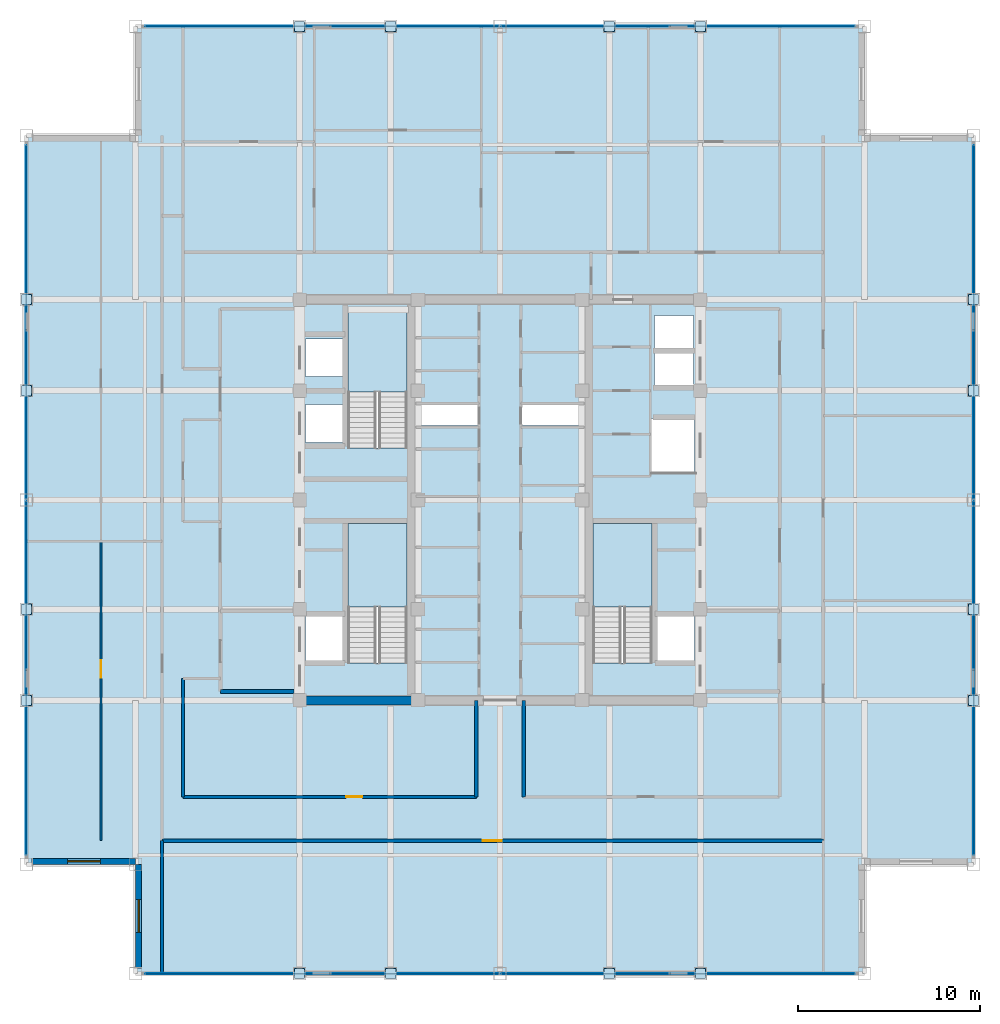
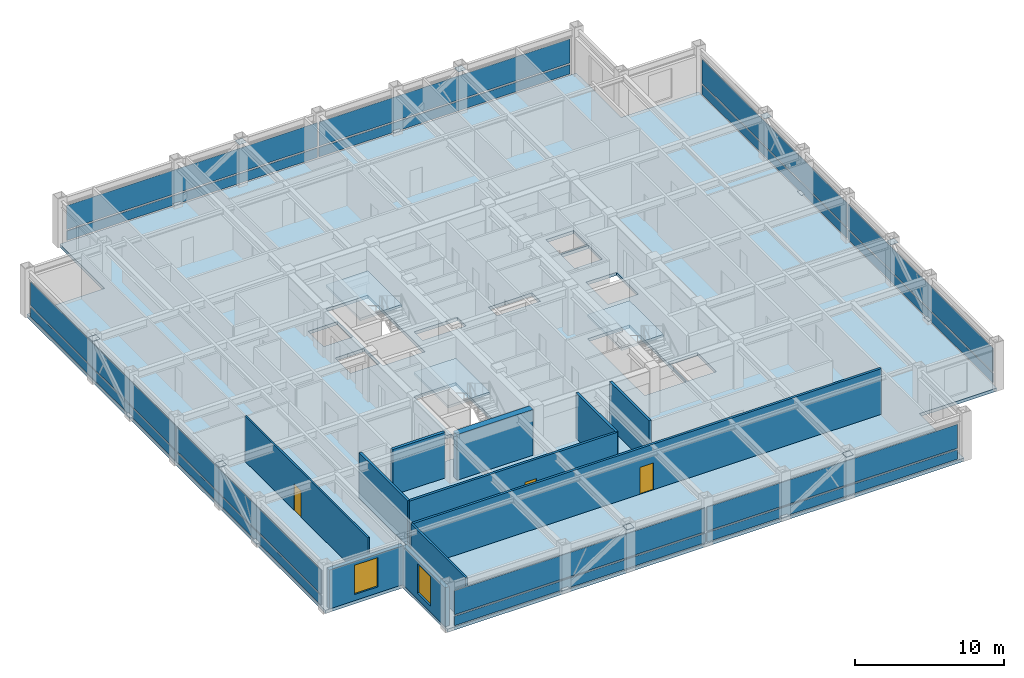
# One storey, part 23 of 29: 32 plates, 11 walls, 4 slabs, 3 doors, 2 windows, 5 openings, 7 elements without a shape of their own.
"""IFC4 building model written with IfcOpenShell, lengths in metres."""

from ifc_helpers import new_model, si_unit, direction, frame, frame_2d, origin, origin_2d, place, context, subcontext, project, spatial, polyline, rectangle, outline, extrude, source, transform, mapped, material, layer, layer_set, type_object, element, fill, aggregate, save


model = new_model("IFC4")

# Units and contexts
model_context = context("Model", 3, precision=1e-05, world=origin(), true_north=direction((0.0, 1.0)))
body_context = subcontext(model_context, "Body", "Model", "MODEL_VIEW")
ifc_project = project(units=[si_unit("LENGTHUNIT", "METRE"), si_unit("AREAUNIT", "SQUARE_METRE"), si_unit("VOLUMEUNIT", "CUBIC_METRE"), si_unit("PLANEANGLEUNIT", "RADIAN"), si_unit("MASSUNIT", "GRAM", prefix="KILO")], contexts=[model_context])

# Site, building, storey
site_placement = place(None, origin())
site = spatial("IfcSite", under=ifc_project, at=site_placement, CompositionType="ELEMENT")
building_placement = place(site_placement, origin())
building = spatial("IfcBuilding", under=site, at=building_placement, Name="Khorayat Bourse Tower", CompositionType="ELEMENT")
storey_placement = place(building_placement, frame((0.0, 0.0, 358.300048828125)))
storey = spatial("IfcBuildingStorey", under=building, at=storey_placement, Name="L85", CompositionType="ELEMENT", Elevation=358.300048828125)

# Stair, slab
ifc_material_1 = material(Name="Concrete C40/50", Category="concrete")
stair_type = type_object("IfcStairType", Name="STR-CORE-1550", PredefinedType="HALF_TURN_STAIR", material=ifc_material_1)
stair_1_placement = place(storey_placement, origin())
stair_1 = element("IfcStair", 1, at=stair_1_placement, inside=storey, type_object=stair_type, Name="L85 Exit Stair ST-1", PredefinedType="HALF_TURN_STAIR")
ifc_layer_1 = layer(ifc_material_1, 0.199951171875)
ifc_layer_set_1 = layer_set([ifc_layer_1], Name="Concrete C40/50")
slab_type_1 = type_object("IfcSlabType", Name="SLB-LANDING-200", PredefinedType="LANDING", material=ifc_layer_set_1)
slab_1_placement = place(storey_placement, frame((0.0, 0.0, 1.800048828125)))
slab_1 = element("IfcSlab", 2, at=slab_1_placement, type_object=slab_type_1, Name="ST-1 landing 1", PredefinedType="LANDING", context=body_context, shape_type="SweptSolid", body=[
    extrude(outline(polyline([(-5.10009765625, -5.8701171875), (-5.10009765625, -1.300048828125), (-8.35009765625, -1.300048828125), (-8.35009765625, -5.8701171875), (-5.10009765625, -5.8701171875)])), origin(), (0.0, 0.0, 1.0), 0.199951171875),
])
aggregate(stair_1, [slab_1])

stair_2_placement = place(storey_placement, origin())
stair_2 = element("IfcStair", 3, at=stair_2_placement, inside=storey, type_object=stair_type, Name="L85 Exit Stair ST-2", PredefinedType="HALF_TURN_STAIR")
slab_2_placement = place(storey_placement, frame((0.0, 0.0, 1.800048828125)))
slab_2 = element("IfcSlab", 4, at=slab_2_placement, type_object=slab_type_1, Name="ST-2 landing 1", PredefinedType="LANDING", context=body_context, shape_type="SweptSolid", body=[
    extrude(outline(polyline([(-5.10009765625, 5.929931640625), (-5.10009765625, 10.5), (-8.35009765625, 10.5), (-8.35009765625, 5.929931640625), (-5.10009765625, 5.929931640625)])), origin(), (0.0, 0.0, 1.0), 0.199951171875),
])
aggregate(stair_2, [slab_2])

stair_3_placement = place(storey_placement, origin())
stair_3 = element("IfcStair", 5, at=stair_3_placement, inside=storey, type_object=stair_type, Name="L85 Exit Stair ST-3", PredefinedType="HALF_TURN_STAIR")
slab_3_placement = place(storey_placement, frame((0.0, 0.0, 1.800048828125)))
slab_3 = element("IfcSlab", 6, at=slab_3_placement, type_object=slab_type_1, Name="ST-3 landing 1", PredefinedType="LANDING", context=body_context, shape_type="SweptSolid", body=[
    extrude(outline(polyline([(8.35009765625, -5.8701171875), (8.35009765625, -1.300048828125), (5.10009765625, -1.300048828125), (5.10009765625, -5.8701171875), (8.35009765625, -5.8701171875)])), origin(), (0.0, 0.0, 1.0), 0.199951171875),
])
aggregate(stair_3, [slab_3])

# Slab
ifc_layer_2 = layer(ifc_material_1, 0.219970703125)
ifc_layer_set_2 = layer_set([ifc_layer_2], Name="Concrete C40/50")
slab_type_2 = type_object("IfcSlabType", Name="SLB-OFFICE-220", PredefinedType="FLOOR", material=ifc_layer_set_2)
slab_4_placement = place(storey_placement, frame((0.0, 0.0, -0.260009765625)))
element("IfcSlab", 7, at=slab_4_placement, inside=storey, type_object=slab_type_2, Name="L85 Main Floor Slab", PredefinedType="FLOOR", context=body_context, shape_type="SweptSolid", body=[
    extrude(outline(polyline([(-20.0, -26.0), (20.0, -26.0), (20.0, -20.0), (26.0, -20.0), (26.0, 20.0), (20.0, 20.0), (20.0, 26.0), (-20.0, 26.0), (-20.0, 20.0), (-26.0, 20.0), (-26.0, -20.0), (-20.0, -20.0), (-20.0, -26.0)]), holes=[polyline([(-8.35009765625, -8.945068359375), (-5.10009765625, -8.945068359375), (-5.10009765625, -1.300048828125), (-8.35009765625, -1.300048828125), (-8.35009765625, -8.945068359375)]), polyline([(-8.35009765625, 2.85498046875), (-5.10009765625, 2.85498046875), (-5.10009765625, 10.5), (-8.35009765625, 10.5), (-8.35009765625, 2.85498046875)]), polyline([(5.10009765625, -8.945068359375), (8.35009765625, -8.945068359375), (8.35009765625, -1.300048828125), (5.10009765625, -1.300048828125), (5.10009765625, -8.945068359375)]), polyline([(-10.679931640625, 3.169921875), (-8.419921875, 3.169921875), (-8.419921875, 5.22998046875), (-10.679931640625, 5.22998046875), (-10.679931640625, 3.169921875)]), polyline([(-10.679931640625, 6.77001953125), (-8.419921875, 6.77001953125), (-8.419921875, 8.830078125), (-10.679931640625, 8.830078125), (-10.679931640625, 6.77001953125)]), polyline([(8.469970703125, 6.27001953125), (10.6298828125, 6.27001953125), (10.6298828125, 8.1298828125), (8.469970703125, 8.1298828125), (8.469970703125, 6.27001953125)]), polyline([(8.469970703125, 8.27001953125), (10.6298828125, 8.27001953125), (10.6298828125, 10.1298828125), (8.469970703125, 10.1298828125), (8.469970703125, 8.27001953125)]), polyline([(-10.679931640625, -8.929931640625), (-8.419921875, -8.929931640625), (-8.419921875, -6.3701171875), (-10.679931640625, -6.3701171875), (-10.679931640625, -8.929931640625)]), polyline([(8.419921875, -8.929931640625), (10.679931640625, -8.929931640625), (10.679931640625, -6.3701171875), (8.419921875, -6.3701171875), (8.419921875, -8.929931640625)]), polyline([(8.320068359375, 1.52001953125), (10.679931640625, 1.52001953125), (10.679931640625, 4.47998046875), (8.320068359375, 4.47998046875), (8.320068359375, 1.52001953125)]), polyline([(-4.56005859375, 4.080078125), (-1.18994140625, 4.080078125), (-1.18994140625, 5.219970703125), (-4.56005859375, 5.219970703125), (-4.56005859375, 4.080078125)]), polyline([(1.18994140625, 4.080078125), (4.56005859375, 4.080078125), (4.56005859375, 5.219970703125), (1.18994140625, 5.219970703125), (1.18994140625, 4.080078125)])]), origin(), (0.0, 0.0, 1.0), 0.260009765625),
])

# Plates
ifc_material_2 = material(Name="Steel EN 10025-2 S355J2", Category="steel")
ifc_layer_3 = layer(ifc_material_2, 0.02490234375)
ifc_layer_set_3 = layer_set([ifc_layer_3], Name="Steel EN 10025-2 S355J2")
plate_type_1 = type_object("IfcPlateType", Name="PLT-ENDCAP-25", PredefinedType="SHEET", material=ifc_layer_set_3)
shared_shape_1 = source(origin(), body_context, "Body", "SweptSolid", [
    extrude(rectangle(XDim=0.56005859375, YDim=0.56005859375, at=origin_2d()), origin(), (0.0, 0.0, 1.0), 0.02490234375),
])
for number, where, z_axis, x_axis, name in (
    (8, (-11.0, -26.0, 0.237548828125), (0.0, 0.0, 1.0), (1.0, 0.0, 0.0), "L85 Perimeter Brace End Plate 001"),
    (9, (-6.0, -26.0, 3.4775390625), (0.0, 0.0, 1.0), (1.0, 0.0, 0.0), "L85 Perimeter Brace End Plate 002"),
    (10, (6.0, -26.0, 0.237548828125), (0.0, 0.0, 1.0), (1.0, 0.0, 0.0), "L85 Perimeter Brace End Plate 003"),
    (11, (11.0, -26.0, 3.4775390625), (0.0, 0.0, 1.0), (1.0, 0.0, 0.0), "L85 Perimeter Brace End Plate 004"),
    (12, (-11.0, 26.0, 0.237548828125), (0.0, 0.0, 1.0), (1.0, 0.0, 0.0), "L85 Perimeter Brace End Plate 005"),
    (13, (-6.0, 26.0, 3.4775390625), (0.0, 0.0, 1.0), (1.0, 0.0, 0.0), "L85 Perimeter Brace End Plate 006"),
    (14, (6.0, 26.0, 0.237548828125), (0.0, 0.0, 1.0), (1.0, 0.0, 0.0), "L85 Perimeter Brace End Plate 007"),
    (15, (11.0, 26.0, 3.4775390625), (0.0, 0.0, 1.0), (1.0, 0.0, 0.0), "L85 Perimeter Brace End Plate 008"),
    (16, (-26.0, -11.0, 0.237548828125), (0.0, 0.0, 1.0), (1.0, 0.0, 0.0), "L85 Perimeter Brace End Plate 009"),
    (17, (-26.0, -6.0, 3.4775390625), (0.0, 0.0, 1.0), (1.0, 0.0, 0.0), "L85 Perimeter Brace End Plate 010"),
    (18, (-26.0, 6.0, 0.237548828125), (0.0, 0.0, 1.0), (1.0, 0.0, 0.0), "L85 Perimeter Brace End Plate 011"),
    (19, (-26.0, 11.0, 3.4775390625), (0.0, 0.0, 1.0), (1.0, 0.0, 0.0), "L85 Perimeter Brace End Plate 012"),
    (20, (26.0, -11.0, 0.237548828125), (0.0, 0.0, 1.0), (1.0, 0.0, 0.0), "L85 Perimeter Brace End Plate 013"),
    (21, (26.0, -6.0, 3.4775390625), (0.0, 0.0, 1.0), (1.0, 0.0, 0.0), "L85 Perimeter Brace End Plate 014"),
    (22, (26.0, 6.0, 0.237548828125), (0.0, 0.0, 1.0), (1.0, 0.0, 0.0), "L85 Perimeter Brace End Plate 015"),
    (23, (26.0, 11.0, 3.4775390625), (0.0, 0.0, 1.0), (1.0, 0.0, 0.0), "L85 Perimeter Brace End Plate 016"),
):
    element("IfcPlate", number, at=place(storey_placement, frame(where, z_axis=z_axis, x_axis=x_axis)), inside=storey, type_object=plate_type_1, Name=name, PredefinedType="SHEET", context=body_context, shape_type="MappedRepresentation", body=[
        mapped(shared_shape_1, transform((0.0, 0.0, 0.0), scale=1.0)),
    ])

# Curtain wall, plates
ifc_material_3 = material(Name="Aluminium EN AW-6063 T6", Category="aluminium")
curtain_wall_type = type_object("IfcCurtainWallType", Name="CW-SYS-04", PredefinedType="NOTDEFINED", material=ifc_material_3)
curtain_wall_1_placement = place(storey_placement, origin())
curtain_wall_1 = element("IfcCurtainWall", 24, at=curtain_wall_1_placement, inside=storey, type_object=curtain_wall_type, Name="L85 Curtain Wall CW-L85-S1", PredefinedType="NOTDEFINED")
ifc_material_4 = material(Name="Honed desert limestone insulated spandrel", Category="masonry")
ifc_layer_4 = layer(ifc_material_4, 0.06494140625)
ifc_layer_set_4 = layer_set([ifc_layer_4], Name="Honed desert limestone insulated spandrel")
plate_type_2 = type_object("IfcPlateType", Name="CWP-SPAND-03", PredefinedType="CURTAIN_PANEL", material=ifc_layer_set_4)
shared_shape_2 = source(origin(), body_context, "Body", "SweptSolid", [
    extrude(rectangle(XDim=19.419921875, YDim=0.06494140625, at=origin_2d()), origin(), (0.0, 0.0, 1.0), 0.77001953125),
])
plate_1_placement = place(storey_placement, frame((-9.77001953125, -26.0, 0.119873046875), z_axis=(0.0, 0.0, 1.0), x_axis=(1.0, 0.0, 0.0)))
plate_1 = element("IfcPlate", 25, at=plate_1_placement, type_object=plate_type_2, Name="CW-L85-S1 Spandrel Panel 1-1", PredefinedType="CURTAIN_PANEL", context=body_context, shape_type="MappedRepresentation", body=[
    mapped(shared_shape_2, transform((0.0, 0.0, 0.0), scale=1.0)),
])
plate_2_placement = place(storey_placement, frame((9.77001953125, -26.0, 0.119873046875), z_axis=(0.0, 0.0, 1.0), x_axis=(1.0, 0.0, 0.0)))
plate_2 = element("IfcPlate", 26, at=plate_2_placement, type_object=plate_type_2, Name="CW-L85-S1 Spandrel Panel 2-1", PredefinedType="CURTAIN_PANEL", context=body_context, shape_type="MappedRepresentation", body=[
    mapped(shared_shape_2, transform((0.0, 0.0, 0.0), scale=1.0)),
])

curtain_wall_2_placement = place(storey_placement, origin())
curtain_wall_2 = element("IfcCurtainWall", 27, at=curtain_wall_2_placement, inside=storey, type_object=curtain_wall_type, Name="L85 Curtain Wall CW-L85-N1", PredefinedType="NOTDEFINED")
plate_3_placement = place(storey_placement, frame((-9.77001953125, 26.0, 0.119873046875), z_axis=(0.0, 0.0, 1.0), x_axis=(1.0, 0.0, 0.0)))
plate_3 = element("IfcPlate", 28, at=plate_3_placement, type_object=plate_type_2, Name="CW-L85-N1 Spandrel Panel 1-1", PredefinedType="CURTAIN_PANEL", context=body_context, shape_type="MappedRepresentation", body=[
    mapped(shared_shape_2, transform((0.0, 0.0, 0.0), scale=1.0)),
])
plate_4_placement = place(storey_placement, frame((9.77001953125, 26.0, 0.119873046875), z_axis=(0.0, 0.0, 1.0), x_axis=(1.0, 0.0, 0.0)))
plate_4 = element("IfcPlate", 29, at=plate_4_placement, type_object=plate_type_2, Name="CW-L85-N1 Spandrel Panel 2-1", PredefinedType="CURTAIN_PANEL", context=body_context, shape_type="MappedRepresentation", body=[
    mapped(shared_shape_2, transform((0.0, 0.0, 0.0), scale=1.0)),
])

curtain_wall_3_placement = place(storey_placement, origin())
curtain_wall_3 = element("IfcCurtainWall", 30, at=curtain_wall_3_placement, inside=storey, type_object=curtain_wall_type, Name="L85 Curtain Wall CW-L85-W1", PredefinedType="NOTDEFINED")
plate_5_placement = place(storey_placement, frame((-26.0, -9.77001953125, 0.119873046875), z_axis=(0.0, 0.0, 1.0), x_axis=(0.0, 1.0, 0.0)))
plate_5 = element("IfcPlate", 31, at=plate_5_placement, type_object=plate_type_2, Name="CW-L85-W1 Spandrel Panel 1-1", PredefinedType="CURTAIN_PANEL", context=body_context, shape_type="MappedRepresentation", body=[
    mapped(shared_shape_2, transform((0.0, 0.0, 0.0), scale=1.0)),
])
plate_6_placement = place(storey_placement, frame((-26.0, 9.77001953125, 0.119873046875), z_axis=(0.0, 0.0, 1.0), x_axis=(0.0, 1.0, 0.0)))
plate_6 = element("IfcPlate", 32, at=plate_6_placement, type_object=plate_type_2, Name="CW-L85-W1 Spandrel Panel 2-1", PredefinedType="CURTAIN_PANEL", context=body_context, shape_type="MappedRepresentation", body=[
    mapped(shared_shape_2, transform((0.0, 0.0, 0.0), scale=1.0)),
])

curtain_wall_4_placement = place(storey_placement, origin())
curtain_wall_4 = element("IfcCurtainWall", 33, at=curtain_wall_4_placement, inside=storey, type_object=curtain_wall_type, Name="L85 Curtain Wall CW-L85-E1", PredefinedType="NOTDEFINED")
plate_7_placement = place(storey_placement, frame((26.0, -9.77001953125, 0.119873046875), z_axis=(0.0, 0.0, 1.0), x_axis=(0.0, 1.0, 0.0)))
plate_7 = element("IfcPlate", 34, at=plate_7_placement, type_object=plate_type_2, Name="CW-L85-E1 Spandrel Panel 1-1", PredefinedType="CURTAIN_PANEL", context=body_context, shape_type="MappedRepresentation", body=[
    mapped(shared_shape_2, transform((0.0, 0.0, 0.0), scale=1.0)),
])
plate_8_placement = place(storey_placement, frame((26.0, 9.77001953125, 0.119873046875), z_axis=(0.0, 0.0, 1.0), x_axis=(0.0, 1.0, 0.0)))
plate_8 = element("IfcPlate", 35, at=plate_8_placement, type_object=plate_type_2, Name="CW-L85-E1 Spandrel Panel 2-1", PredefinedType="CURTAIN_PANEL", context=body_context, shape_type="MappedRepresentation", body=[
    mapped(shared_shape_2, transform((0.0, 0.0, 0.0), scale=1.0)),
])

# Plate
ifc_material_5 = material(Name="Low-E solar-control laminated double glazing", Category="glass")
ifc_layer_5 = layer(ifc_material_5, 0.0419921875)
ifc_layer_set_5 = layer_set([ifc_layer_5], Name="Low-E solar-control laminated double glazing")
plate_type_3 = type_object("IfcPlateType", Name="CWP-FACET-02", PredefinedType="CURTAIN_PANEL", material=ifc_layer_set_5)
shared_shape_3 = source(origin(), body_context, "Body", "SweptSolid", [
    extrude(rectangle(XDim=19.419921875, YDim=0.0419921875, at=origin_2d()), origin(), (0.0, 0.0, 1.0), 1.9599609375),
])
plate_9_placement = place(storey_placement, frame((-9.77001953125, -26.0, 1.010009765625), z_axis=(0.0, 0.0, 1.0), x_axis=(1.0, 0.0, 0.0)))
plate_9 = element("IfcPlate", 36, at=plate_9_placement, type_object=plate_type_3, Name="CW-L85-S1 Vision Panel 1-2", PredefinedType="CURTAIN_PANEL", context=body_context, shape_type="MappedRepresentation", body=[
    mapped(shared_shape_3, transform((0.0, 0.0, 0.0), scale=1.0)),
])

plate_10_placement = place(storey_placement, frame((9.77001953125, -26.0, 1.010009765625), z_axis=(0.0, 0.0, 1.0), x_axis=(1.0, 0.0, 0.0)))
plate_10 = element("IfcPlate", 37, at=plate_10_placement, type_object=plate_type_3, Name="CW-L85-S1 Vision Panel 2-2", PredefinedType="CURTAIN_PANEL", context=body_context, shape_type="MappedRepresentation", body=[
    mapped(shared_shape_3, transform((0.0, 0.0, 0.0), scale=1.0)),
])

aggregate(curtain_wall_1, [plate_1, plate_9, plate_2, plate_10])

plate_11_placement = place(storey_placement, frame((-9.77001953125, 26.0, 1.010009765625), z_axis=(0.0, 0.0, 1.0), x_axis=(1.0, 0.0, 0.0)))
plate_11 = element("IfcPlate", 38, at=plate_11_placement, type_object=plate_type_3, Name="CW-L85-N1 Vision Panel 1-2", PredefinedType="CURTAIN_PANEL", context=body_context, shape_type="MappedRepresentation", body=[
    mapped(shared_shape_3, transform((0.0, 0.0, 0.0), scale=1.0)),
])

plate_12_placement = place(storey_placement, frame((9.77001953125, 26.0, 1.010009765625), z_axis=(0.0, 0.0, 1.0), x_axis=(1.0, 0.0, 0.0)))
plate_12 = element("IfcPlate", 39, at=plate_12_placement, type_object=plate_type_3, Name="CW-L85-N1 Vision Panel 2-2", PredefinedType="CURTAIN_PANEL", context=body_context, shape_type="MappedRepresentation", body=[
    mapped(shared_shape_3, transform((0.0, 0.0, 0.0), scale=1.0)),
])

aggregate(curtain_wall_2, [plate_3, plate_11, plate_4, plate_12])

plate_13_placement = place(storey_placement, frame((-26.0, -9.77001953125, 1.010009765625), z_axis=(0.0, 0.0, 1.0), x_axis=(0.0, 1.0, 0.0)))
plate_13 = element("IfcPlate", 40, at=plate_13_placement, type_object=plate_type_3, Name="CW-L85-W1 Vision Panel 1-2", PredefinedType="CURTAIN_PANEL", context=body_context, shape_type="MappedRepresentation", body=[
    mapped(shared_shape_3, transform((0.0, 0.0, 0.0), scale=1.0)),
])

plate_14_placement = place(storey_placement, frame((-26.0, 9.77001953125, 1.010009765625), z_axis=(0.0, 0.0, 1.0), x_axis=(0.0, 1.0, 0.0)))
plate_14 = element("IfcPlate", 41, at=plate_14_placement, type_object=plate_type_3, Name="CW-L85-W1 Vision Panel 2-2", PredefinedType="CURTAIN_PANEL", context=body_context, shape_type="MappedRepresentation", body=[
    mapped(shared_shape_3, transform((0.0, 0.0, 0.0), scale=1.0)),
])

aggregate(curtain_wall_3, [plate_5, plate_13, plate_6, plate_14])

plate_15_placement = place(storey_placement, frame((26.0, -9.77001953125, 1.010009765625), z_axis=(0.0, 0.0, 1.0), x_axis=(0.0, 1.0, 0.0)))
plate_15 = element("IfcPlate", 42, at=plate_15_placement, type_object=plate_type_3, Name="CW-L85-E1 Vision Panel 1-2", PredefinedType="CURTAIN_PANEL", context=body_context, shape_type="MappedRepresentation", body=[
    mapped(shared_shape_3, transform((0.0, 0.0, 0.0), scale=1.0)),
])

plate_16_placement = place(storey_placement, frame((26.0, 9.77001953125, 1.010009765625), z_axis=(0.0, 0.0, 1.0), x_axis=(0.0, 1.0, 0.0)))
plate_16 = element("IfcPlate", 43, at=plate_16_placement, type_object=plate_type_3, Name="CW-L85-E1 Vision Panel 2-2", PredefinedType="CURTAIN_PANEL", context=body_context, shape_type="MappedRepresentation", body=[
    mapped(shared_shape_3, transform((0.0, 0.0, 0.0), scale=1.0)),
])

aggregate(curtain_wall_4, [plate_7, plate_15, plate_8, plate_16])

# Wall
ifc_material_6 = material(Name="Concrete C52/65", Category="concrete")
ifc_layer_6 = layer(ifc_material_6, 0.5)
ifc_layer_set_6 = layer_set([ifc_layer_6], Name="Concrete C52/65")
wall_type_1 = type_object("IfcWallType", Name="WAL-CORE-500", PredefinedType="SHEAR", material=ifc_layer_set_6)
shared_shape_4 = source(origin(), body_context, "Body", "SweptSolid", [
    extrude(rectangle(XDim=5.89990234375, YDim=0.5, at=frame_2d((2.949951171875, 0.0))), origin(), (0.0, 0.0, 1.0), 3.739990234375),
])
wall_1_placement = place(storey_placement, frame((-10.75, -11.0, 0.0), z_axis=(0.0, 0.0, 1.0), x_axis=(1.0, 0.0, 0.0)))
element("IfcWall", 44, at=wall_1_placement, inside=storey, type_object=wall_type_1, Name="L85 Core Shear Wall PIER-WS", PredefinedType="SHEAR", context=body_context, shape_type="MappedRepresentation", body=[
    mapped(shared_shape_4, transform((0.0, 0.0, 0.0), scale=1.0)),
])

# Wall, opening, window
ifc_material_7 = material(Name="Precast concrete C45/55", Category="concrete")
ifc_layer_7 = layer(ifc_material_7, 0.320068359375)
ifc_layer_set_7 = layer_set([ifc_layer_7], Name="Precast concrete C45/55")
wall_type_2 = type_object("IfcWallType", Name="WAL-EXT-STONE-320", PredefinedType="STANDARD", material=ifc_layer_set_7)
shared_shape_5 = source(origin(), body_context, "Body", "SweptSolid", [
    extrude(rectangle(XDim=5.679931640625, YDim=0.320068359375, at=frame_2d((2.83984375, 0.0))), origin(), (0.0, 0.0, 1.0), 3.19091796875),
])
wall_2_placement = place(storey_placement, frame((-20.0, -19.840087890625, 0.0), z_axis=(0.0, 0.0, 1.0), x_axis=(-1.0, 0.0, 0.0)))
wall_2 = element("IfcWall", 45, at=wall_2_placement, inside=storey, type_object=wall_type_2, Name="L85 Re-Entrant Notch Limestone Wall SW-H", PredefinedType="STANDARD", context=body_context, shape_type="MappedRepresentation", body=[
    mapped(shared_shape_5, transform((0.0, 0.0, 0.0), scale=1.0)),
])
shared_shape_6 = source(origin(), body_context, "Body", "SweptSolid", [
    extrude(rectangle(XDim=1.800048828125, YDim=2.39990234375, at=frame_2d((0.89990234375, 1.199951171875))), frame((0.0, 0.169921875, 0.0), z_axis=(0.0, -1.0, 0.0), x_axis=(1.0, 0.0, 0.0)), (0.0, 0.0, 1.0), 0.340087890625),
])
opening_1_placement = place(wall_2_placement, frame((1.93994140625, 0.0, 0.5)))
opening_1 = element("IfcOpeningElement", 46, at=opening_1_placement, cuts=wall_2, Name="Opening WN-04", PredefinedType="OPENING", context=body_context, shape_type="MappedRepresentation", body=[
    mapped(shared_shape_6, transform((0.0, 0.0, 0.0), scale=1.0)),
])
ifc_material_8 = material(Name="Low-E acoustic laminated double glazing", Category="glass")
window_type = type_object("IfcWindowType", Name="WIN-NOTCH-1800x2400", PartitioningType="SINGLE_PANEL", PredefinedType="WINDOW", material=ifc_material_8)
shared_shape_7 = source(origin(), body_context, "Body", "SweptSolid", [
    extrude(rectangle(XDim=1.800048828125, YDim=2.39990234375, at=frame_2d((0.89990234375, 1.199951171875))), frame((0.0, 0.030029296875, 0.0), z_axis=(0.0, -1.0, 0.0), x_axis=(1.0, 0.0, 0.0)), (0.0, 0.0, 1.0), 0.06005859375),
])
window_1_placement = place(opening_1_placement, origin())
window_1 = element("IfcWindow", 47, at=window_1_placement, inside=storey, type_object=window_type, Name="L85 Facade Window 1", OverallHeight=2.39990234375, OverallWidth=1.800048828125, PartitioningType="SINGLE_PANEL", PredefinedType="WINDOW", context=body_context, shape_type="MappedRepresentation", body=[
    mapped(shared_shape_7, transform((0.0, 0.0, 0.0), scale=1.0)),
])
fill(opening_1, window_1)

wall_3_placement = place(storey_placement, frame((-19.840087890625, -25.679931640625, 0.0), z_axis=(0.0, 0.0, 1.0), x_axis=(0.0, 1.0, 0.0)))
wall_3 = element("IfcWall", 48, at=wall_3_placement, inside=storey, type_object=wall_type_2, Name="L85 Re-Entrant Notch Limestone Wall SW-V", PredefinedType="STANDARD", context=body_context, shape_type="MappedRepresentation", body=[
    mapped(shared_shape_5, transform((0.0, 0.0, 0.0), scale=1.0)),
])
opening_2_placement = place(wall_3_placement, frame((1.93994140625, 0.0, 0.5)))
opening_2 = element("IfcOpeningElement", 49, at=opening_2_placement, cuts=wall_3, Name="Opening WN-04", PredefinedType="OPENING", context=body_context, shape_type="MappedRepresentation", body=[
    mapped(shared_shape_6, transform((0.0, 0.0, 0.0), scale=1.0)),
])
window_2_placement = place(opening_2_placement, origin())
window_2 = element("IfcWindow", 50, at=window_2_placement, inside=storey, type_object=window_type, Name="L85 Facade Window 1", OverallHeight=2.39990234375, OverallWidth=1.800048828125, PartitioningType="SINGLE_PANEL", PredefinedType="WINDOW", context=body_context, shape_type="MappedRepresentation", body=[
    mapped(shared_shape_7, transform((0.0, 0.0, 0.0), scale=1.0)),
])
fill(opening_2, window_2)

# Wall
ifc_material_9 = material(Name="Aerated concrete blockwork", Category="masonry")
ifc_layer_8 = layer(ifc_material_9, 0.219970703125)
ifc_layer_set_8 = layer_set([ifc_layer_8], Name="Aerated concrete blockwork")
wall_type_3 = type_object("IfcWallType", Name="WAL-PART-FF-220", PredefinedType="PARTITIONING", material=ifc_layer_set_8)
shared_shape_8 = source(origin(), body_context, "Body", "SweptSolid", [
    extrude(rectangle(XDim=4.050048828125, YDim=0.219970703125, at=frame_2d((2.02490234375, 0.0))), origin(), (0.0, 0.0, 1.0), 3.739990234375),
])
wall_4_placement = place(storey_placement, frame((-15.35009765625, -10.5, 0.0), z_axis=(0.0, 0.0, 1.0), x_axis=(1.0, 0.0, 0.0)))
element("IfcWall", 51, at=wall_4_placement, inside=storey, type_object=wall_type_3, Name="L85 Partition WAL-L85-FFLW-S", PredefinedType="PARTITIONING", context=body_context, shape_type="MappedRepresentation", body=[
    mapped(shared_shape_8, transform((0.0, 0.0, 0.0), scale=1.0)),
])

# Wall, opening, door
ifc_material_10 = material(Name="Gypsum plasterboard acoustic stud wall")
ifc_layer_9 = layer(ifc_material_10, 0.179931640625)
ifc_layer_set_9 = layer_set([ifc_layer_9], Name="Gypsum plasterboard acoustic stud wall")
wall_type_4 = type_object("IfcWallType", Name="WAL-PART-CORR-180", PredefinedType="PARTITIONING", material=ifc_layer_set_9)
shared_shape_9 = source(origin(), body_context, "Body", "SweptSolid", [
    extrude(rectangle(XDim=16.099853515625, YDim=0.179931640625, at=frame_2d((8.0498046875, 0.0))), origin(), (0.0, 0.0, 1.0), 3.739990234375),
])
wall_5_placement = place(storey_placement, frame((-17.39990234375, -16.300048828125, 0.0), z_axis=(0.0, 0.0, 1.0), x_axis=(1.0, 0.0, 0.0)))
wall_5 = element("IfcWall", 52, at=wall_5_placement, inside=storey, type_object=wall_type_4, Name="L85 Partition WAL-L85-PKSW-S", PredefinedType="PARTITIONING", context=body_context, shape_type="MappedRepresentation", body=[
    mapped(shared_shape_9, transform((0.0, 0.0, 0.0), scale=1.0)),
])
shared_shape_10 = source(origin(), body_context, "Body", "SweptSolid", [
    extrude(rectangle(XDim=0.89990234375, YDim=2.14990234375, at=frame_2d((0.449951171875, 1.074951171875))), frame((0.0, 0.099853515625, 0.0), z_axis=(0.0, -1.0, 0.0), x_axis=(1.0, 0.0, 0.0)), (0.0, 0.0, 1.0), 0.199951171875),
])
opening_3_placement = place(wall_5_placement, frame((8.949951171875, 0.0, 0.0)))
opening_3 = element("IfcOpeningElement", 53, at=opening_3_placement, cuts=wall_5, Name="Opening DI-06", PredefinedType="OPENING", context=body_context, shape_type="MappedRepresentation", body=[
    mapped(shared_shape_10, transform((0.0, 0.0, 0.0), scale=1.0)),
])
ifc_material_11 = material(Name="Moisture-resistant laminate washroom door")
door_type_1 = type_object("IfcDoorType", Name="DR-INT-WC-900", OperationType="NOTDEFINED", PredefinedType="DOOR", material=ifc_material_11)
shared_shape_11 = source(origin(), body_context, "Body", "SweptSolid", [
    extrude(rectangle(XDim=0.89990234375, YDim=2.14990234375, at=frame_2d((0.449951171875, 1.074951171875))), frame((0.0, 0.02490234375, 0.0), z_axis=(0.0, -1.0, 0.0), x_axis=(1.0, 0.0, 0.0)), (0.0, 0.0, 1.0), 0.050048828125),
])
door_1_placement = place(opening_3_placement, origin())
door_1 = element("IfcDoor", 54, at=door_1_placement, inside=storey, type_object=door_type_1, Name="L85 SW Inboard Pantry Door", OperationType="SINGLE_SWING_LEFT", OverallHeight=2.14990234375, OverallWidth=0.89990234375, PredefinedType="DOOR", context=body_context, shape_type="MappedRepresentation", body=[
    mapped(shared_shape_11, transform((0.0, 0.0, 0.0), scale=1.0)),
])
fill(opening_3, door_1)

# Wall
shared_shape_12 = source(origin(), body_context, "Body", "SweptSolid", [
    extrude(rectangle(XDim=6.5, YDim=0.179931640625, at=frame_2d((3.25, 0.0))), origin(), (0.0, 0.0, 1.0), 3.739990234375),
])
wall_6_placement = place(storey_placement, frame((-17.39990234375, -16.300048828125, 0.0), z_axis=(0.0, 0.0, 1.0), x_axis=(0.0, 1.0, 0.0)))
element("IfcWall", 55, at=wall_6_placement, inside=storey, type_object=wall_type_4, Name="L85 Partition WAL-L85-PKSW-W", PredefinedType="PARTITIONING", context=body_context, shape_type="MappedRepresentation", body=[
    mapped(shared_shape_12, transform((0.0, 0.0, 0.0), scale=1.0)),
])

# Wall, opening, door
shared_shape_13 = source(origin(), body_context, "Body", "SweptSolid", [
    extrude(rectangle(XDim=36.300048828125, YDim=0.179931640625, at=frame_2d((18.14990234375, 0.0))), origin(), (0.0, 0.0, 1.0), 3.739990234375),
])
wall_7_placement = place(storey_placement, frame((-18.550048828125, -18.699951171875, 0.0), z_axis=(0.0, 0.0, 1.0), x_axis=(1.0, 0.0, 0.0)))
wall_7 = element("IfcWall", 56, at=wall_7_placement, inside=storey, type_object=wall_type_4, Name="L85 Partition WAL-L85-SCORR", PredefinedType="PARTITIONING", context=body_context, shape_type="MappedRepresentation", body=[
    mapped(shared_shape_13, transform((0.0, 0.0, 0.0), scale=1.0)),
])
shared_shape_14 = source(origin(), body_context, "Body", "SweptSolid", [
    extrude(rectangle(XDim=1.050048828125, YDim=2.199951171875, at=frame_2d((0.52490234375, 1.10009765625))), frame((0.0, 0.099853515625, 0.0), z_axis=(0.0, -1.0, 0.0), x_axis=(1.0, 0.0, 0.0)), (0.0, 0.0, 1.0), 0.199951171875),
])
opening_4_placement = place(wall_7_placement, frame((17.60009765625, 0.0, 0.0)))
opening_4 = element("IfcOpeningElement", 57, at=opening_4_placement, cuts=wall_7, Name="Opening DI-04", PredefinedType="OPENING", context=body_context, shape_type="MappedRepresentation", body=[
    mapped(shared_shape_14, transform((0.0, 0.0, 0.0), scale=1.0)),
])
ifc_material_12 = material(Name="Fire-rated oak veneer suite entrance door")
door_type_2 = type_object("IfcDoorType", Name="DR-INT-SUITE-1050", OperationType="NOTDEFINED", PredefinedType="DOOR", material=ifc_material_12)
shared_shape_15 = source(origin(), body_context, "Body", "SweptSolid", [
    extrude(rectangle(XDim=1.050048828125, YDim=2.199951171875, at=frame_2d((0.52490234375, 1.10009765625))), frame((0.0, 0.02490234375, 0.0), z_axis=(0.0, -1.0, 0.0), x_axis=(1.0, 0.0, 0.0)), (0.0, 0.0, 1.0), 0.050048828125),
])
door_2_placement = place(opening_4_placement, origin())
door_2 = element("IfcDoor", 58, at=door_2_placement, inside=storey, type_object=door_type_2, Name="L85 Issuer Listing Showroom S1 Door", OperationType="SINGLE_SWING_RIGHT", OverallHeight=2.199951171875, OverallWidth=1.050048828125, PredefinedType="DOOR", context=body_context, shape_type="MappedRepresentation", body=[
    mapped(shared_shape_15, transform((0.0, 0.0, 0.0), scale=1.0)),
])
fill(opening_4, door_2)

# Walls
shared_shape_16 = source(origin(), body_context, "Body", "SweptSolid", [
    extrude(rectangle(XDim=5.300048828125, YDim=0.179931640625, at=frame_2d((2.64990234375, 0.0))), origin(), (0.0, 0.0, 1.0), 3.739990234375),
])
for number, where, z_axis, x_axis, name in (
    (59, (-1.300048828125, -16.300048828125, 0.0), (0.0, 0.0, 1.0), (0.0, 1.0, 0.0), "L85 Partition WAL-L85-PKSW-E"),
    (60, (1.300048828125, -16.300048828125, 0.0), (0.0, 0.0, 1.0), (0.0, 1.0, 0.0), "L85 Partition WAL-L85-PKSE-W"),
):
    element("IfcWall", number, at=place(storey_placement, frame(where, z_axis=z_axis, x_axis=x_axis)), inside=storey, type_object=wall_type_4, Name=name, PredefinedType="PARTITIONING", context=body_context, shape_type="MappedRepresentation", body=[
        mapped(shared_shape_16, transform((0.0, 0.0, 0.0), scale=1.0)),
    ])
ifc_material_13 = material(Name="Gypsum plasterboard twin-frame partition")
ifc_layer_10 = layer(ifc_material_13, 0.14990234375)
ifc_layer_set_10 = layer_set([ifc_layer_10], Name="Gypsum plasterboard twin-frame partition")
wall_type_5 = type_object("IfcWallType", Name="WAL-PART-SUITE-150", PredefinedType="PARTITIONING", material=ifc_layer_set_10)
shared_shape_17 = source(origin(), body_context, "Body", "SweptSolid", [
    extrude(rectangle(XDim=7.300048828125, YDim=0.14990234375, at=frame_2d((3.64990234375, 0.0))), origin(), (0.0, 0.0, 1.0), 3.739990234375),
])
wall_8_placement = place(storey_placement, frame((-18.550048828125, -26.0, 0.0), z_axis=(0.0, 0.0, 1.0), x_axis=(0.0, 1.0, 0.0)))
element("IfcWall", 61, at=wall_8_placement, inside=storey, type_object=wall_type_5, Name="L85 Partition WAL-L85-SCW-END", PredefinedType="PARTITIONING", context=body_context, shape_type="MappedRepresentation", body=[
    mapped(shared_shape_17, transform((0.0, 0.0, 0.0), scale=1.0)),
])

# Wall, opening, door
ifc_material_14 = material(Name="Gypsum plasterboard partition")
ifc_layer_11 = layer(ifc_material_14, 0.125)
ifc_layer_set_11 = layer_set([ifc_layer_11], Name="Gypsum plasterboard partition")
wall_type_6 = type_object("IfcWallType", Name="WAL-PART-ROOM-125", PredefinedType="PARTITIONING", material=ifc_layer_set_11)
shared_shape_18 = source(origin(), body_context, "Body", "SweptSolid", [
    extrude(rectangle(XDim=16.43603515625, YDim=0.125, at=frame_2d((8.218017578125, 0.0))), origin(), (0.0, 0.0, 1.0), 3.739990234375),
])
wall_9_placement = place(storey_placement, frame((-21.902587890625, -18.699951171875, 0.0), z_axis=(0.0, 0.0, 1.0), x_axis=(0.0, 1.0, 0.0)))
wall_9 = element("IfcWall", 62, at=wall_9_placement, inside=storey, type_object=wall_type_6, Name="L85 Partition WAL-L85-WDP-1", PredefinedType="PARTITIONING", context=body_context, shape_type="MappedRepresentation", body=[
    mapped(shared_shape_18, transform((0.0, 0.0, 0.0), scale=1.0)),
])
shared_shape_19 = source(origin(), body_context, "Body", "SweptSolid", [
    extrude(rectangle(XDim=0.949951171875, YDim=2.14990234375, at=frame_2d((0.47509765625, 1.074951171875))), frame((0.0, 0.072509765625, 0.0), z_axis=(0.0, -1.0, 0.0), x_axis=(1.0, 0.0, 0.0)), (0.0, 0.0, 1.0), 0.14501953125),
])
opening_5_placement = place(wall_9_placement, frame((8.943115234375, 0.0, 0.0)))
opening_5 = element("IfcOpeningElement", 63, at=opening_5_placement, cuts=wall_9, Name="Opening DI-05", PredefinedType="OPENING", context=body_context, shape_type="MappedRepresentation", body=[
    mapped(shared_shape_19, transform((0.0, 0.0, 0.0), scale=1.0)),
])
ifc_material_15 = material(Name="Acoustic oak veneer office door")
door_type_3 = type_object("IfcDoorType", Name="DR-INT-OFFICE-950", OperationType="NOTDEFINED", PredefinedType="DOOR", material=ifc_material_15)
shared_shape_20 = source(origin(), body_context, "Body", "SweptSolid", [
    extrude(rectangle(XDim=0.949951171875, YDim=2.14990234375, at=frame_2d((0.47509765625, 1.074951171875))), frame((0.0, 0.02490234375, 0.0), z_axis=(0.0, -1.0, 0.0), x_axis=(1.0, 0.0, 0.0)), (0.0, 0.0, 1.0), 0.050048828125),
])
door_3_placement = place(opening_5_placement, origin())
door_3 = element("IfcDoor", 64, at=door_3_placement, inside=storey, type_object=door_type_3, Name="L85 Issuer Listing Showroom W1B Door", OperationType="SINGLE_SWING_RIGHT", OverallHeight=2.14990234375, OverallWidth=0.949951171875, PredefinedType="DOOR", context=body_context, shape_type="MappedRepresentation", body=[
    mapped(shared_shape_20, transform((0.0, 0.0, 0.0), scale=1.0)),
])
fill(opening_5, door_3)

save(model, "model.ifc")
